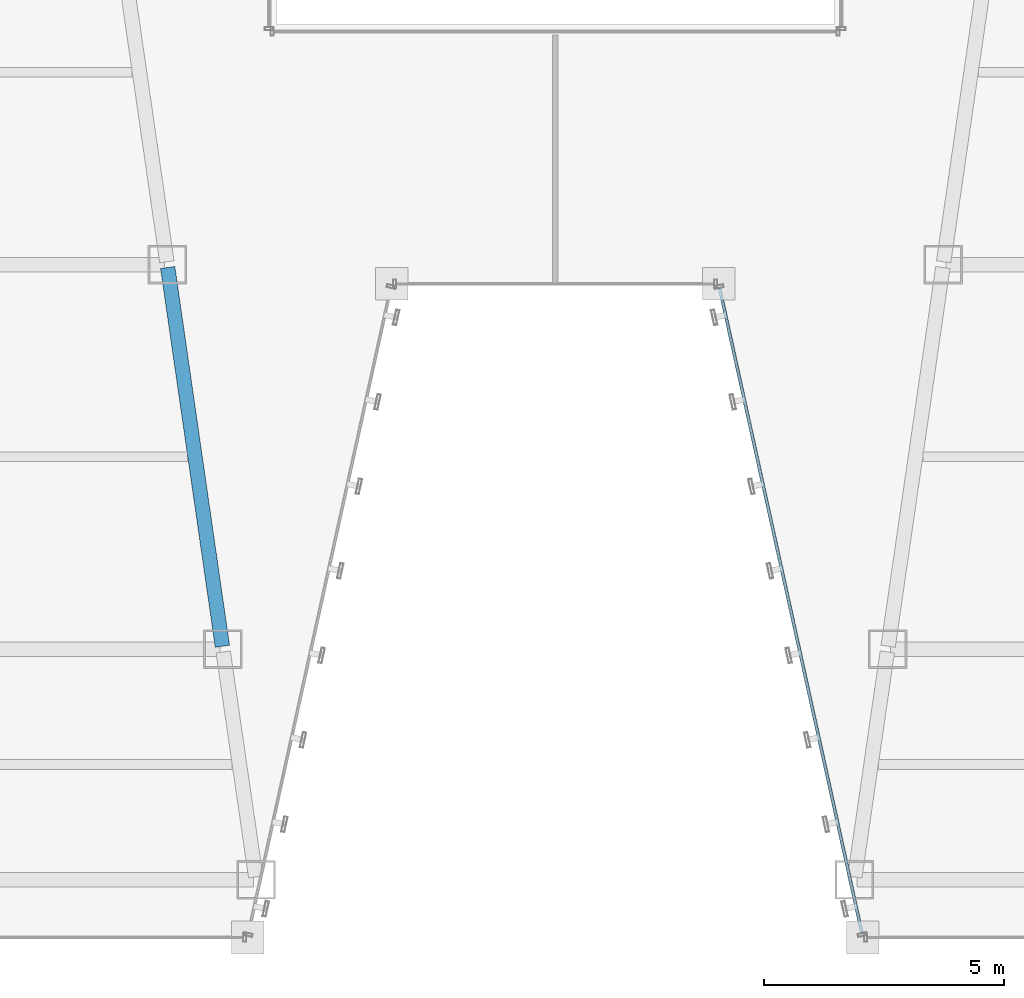
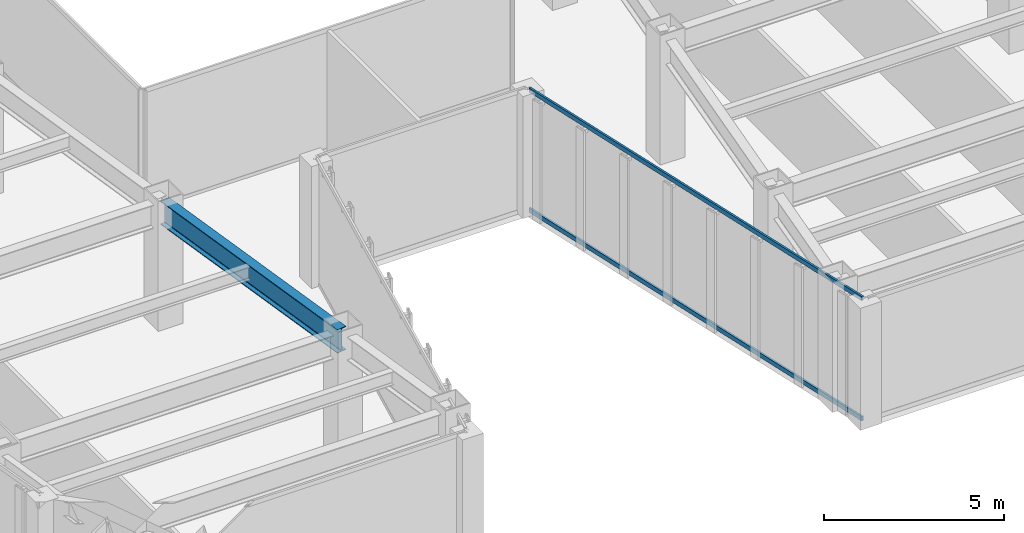
# One storey, part 8 of 47: 2 members, 1 beam, 1 element without a shape of its own.
"""IFC4 building model written with IfcOpenShell, lengths in metres."""

from ifc_helpers import new_model, si_unit, direction, frame, origin, origin_2d, place, context, subcontext, project, spatial, hollow_rectangle, i_section, extrude, material, material_profile, profile_set, type_object, element, aggregate, save


model = new_model("IFC4")

# Units and contexts
model_context = context("Model", 3, precision=1e-05, world=origin(), true_north=direction((0.0, 1.0)))
body_context = subcontext(model_context, "Body", "Model", "MODEL_VIEW")
ifc_project = project(units=[si_unit("LENGTHUNIT", "METRE"), si_unit("AREAUNIT", "SQUARE_METRE"), si_unit("VOLUMEUNIT", "CUBIC_METRE"), si_unit("PLANEANGLEUNIT", "RADIAN"), si_unit("MASSUNIT", "GRAM", prefix="KILO")], contexts=[model_context])

# Site, building, storey
site_placement = place(None, origin())
site = spatial("IfcSite", under=ifc_project, at=site_placement, CompositionType="ELEMENT")
building_placement = place(site_placement, origin())
building = spatial("IfcBuilding", under=site, at=building_placement, Name="Saevonmaru Cultural Tower", CompositionType="ELEMENT")
storey_placement = place(building_placement, frame((0.0, 0.0, 60.39990234375)))
storey = spatial("IfcBuildingStorey", under=building, at=storey_placement, Name="L12", CompositionType="ELEMENT", Elevation=60.39990234375)

# Beam
ifc_material_1 = material(Name="Steel SM420", Category="steel")
ifc_material_profile_1 = material_profile(ifc_material_1, i_section(OverallWidth=0.300048828125, OverallDepth=0.800048828125, WebThickness=0.013916015625, FlangeThickness=0.02587890625, FilletRadius=0.028076171875, at=origin_2d()), Name="H-800x300x14x26")
ifc_profile_set_1 = profile_set([ifc_material_profile_1], Name="Steel SM420")
beam_type = type_object("IfcBeamType", Name="BM-G-H800", PredefinedType="BEAM", material=ifc_profile_set_1)
beam_placement = place(storey_placement, frame((23.074462890625, 8.059326171875, 3.75), z_axis=(-0.142902032203, 0.989736838353, 0.0), x_axis=(-0.989736838353, -0.142902032203, 0.0)))
element("IfcBeam", 1, at=beam_placement, inside=storey, type_object=beam_type, Name="L12 West Atrium Girder 2", PredefinedType="BEAM", context=body_context, shape_type="SweptSolid", body=[
    extrude(i_section(OverallWidth=0.300048828125, OverallDepth=0.800048828125, WebThickness=0.013916015625, FlangeThickness=0.02587890625, FilletRadius=0.028076171875, at=origin_2d()), origin(), (0.0, 0.0, 1.0), 7.963134765625),
])

# Curtain wall, members
ifc_material_2 = material(Name="Satin Bronze Anodised Aluminium", Category="aluminium")
curtain_wall_type = type_object("IfcCurtainWallType", Name="CW-TYP-A", PredefinedType="NOTDEFINED", material=ifc_material_2)
curtain_wall_placement = place(storey_placement, origin())
curtain_wall = element("IfcCurtainWall", 2, at=curtain_wall_placement, inside=storey, type_object=curtain_wall_type, Name="L12 Unitised Curtain Wall E5", PredefinedType="NOTDEFINED")
ifc_material_profile_2 = material_profile(ifc_material_2, hollow_rectangle(XDim=0.06494140625, YDim=0.14990234375, WallThickness=0.00390625, at=origin_2d()), Name="ALU-TRAN-150x65x4")
ifc_profile_set_2 = profile_set([ifc_material_profile_2], Name="Satin Bronze Anodised Aluminium")
member_type = type_object("IfcMemberType", Name="TR-CW-150x65", PredefinedType="USERDEFINED", material=ifc_profile_set_2)
member_1_placement = place(storey_placement, frame((33.419921875, 15.509765625, 0.03271484375), z_axis=(0.21541214732, -0.976523223885, 0.0), x_axis=(0.976523223885, 0.21541214732, 0.0)))
member_1 = element("IfcMember", 3, at=member_1_placement, type_object=member_type, Name="CW-TW-L12-E5 transom 1.1", ObjectType="TRANSOM", PredefinedType="USERDEFINED", context=body_context, shape_type="SweptSolid", body=[
    extrude(hollow_rectangle(XDim=0.06494140625, YDim=0.14990234375, WallThickness=0.00390625, at=origin_2d()), origin(), (0.0, 0.0, 1.0), 13.741943359375),
])
member_2_placement = place(storey_placement, frame((33.419921875, 15.509765625, 4.11767578125), z_axis=(0.21541214732, -0.976523223885, 0.0), x_axis=(0.976523223885, 0.21541214732, 0.0)))
member_2 = element("IfcMember", 4, at=member_2_placement, type_object=member_type, Name="CW-TW-L12-E5 transom 1.2", ObjectType="TRANSOM", PredefinedType="USERDEFINED", context=body_context, shape_type="SweptSolid", body=[
    extrude(hollow_rectangle(XDim=0.06494140625, YDim=0.14990234375, WallThickness=0.00390625, at=origin_2d()), origin(), (0.0, 0.0, 1.0), 13.741943359375),
])
aggregate(curtain_wall, [member_1, member_2])

save(model, "model.ifc")
